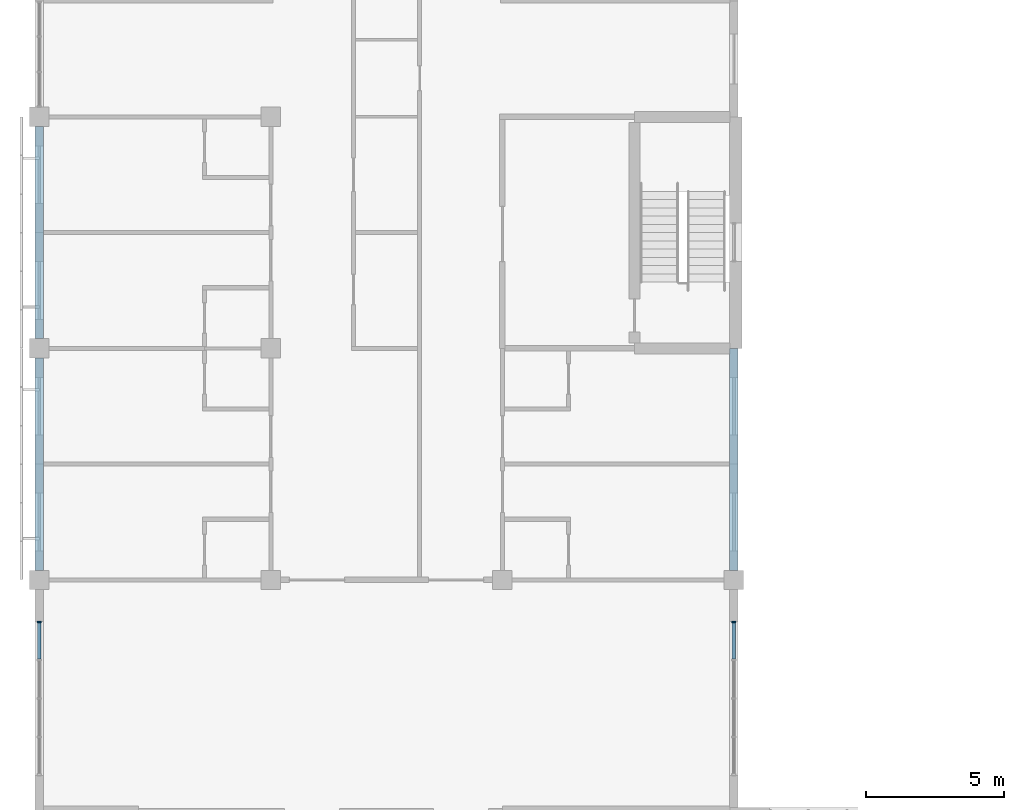
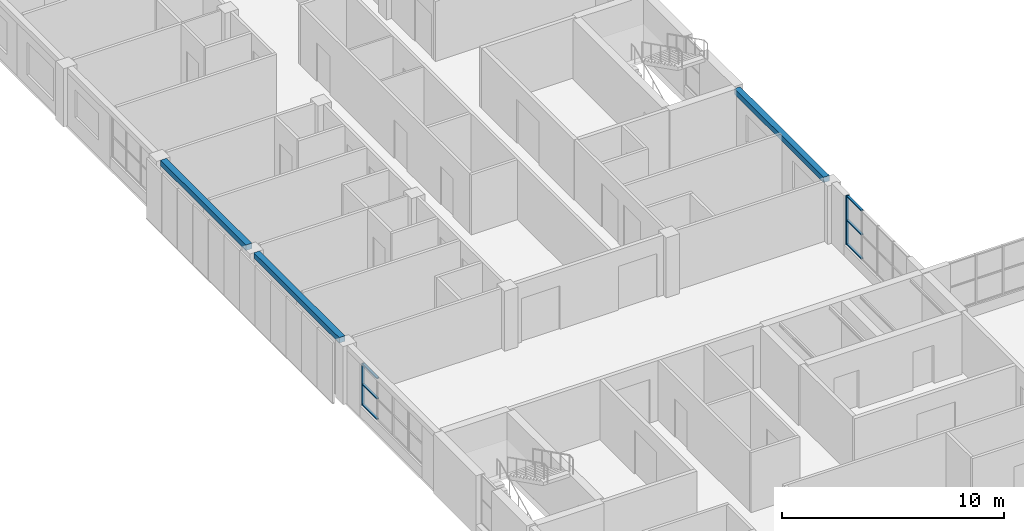
# One storey, part 6 of 48: 8 members, 3 beams, 2 elements without a shape of their own.
"""IFC4 building model written with IfcOpenShell, lengths in metres."""

from ifc_helpers import new_model, si_unit, direction, frame, origin, origin_2d, place, context, subcontext, project, spatial, rectangle, extrude, material, material_profile, profile_set, type_object, element, aggregate, save


model = new_model("IFC4")

# Units and contexts
model_context = context("Model", 3, precision=1e-05, world=origin(), true_north=direction((0.0, 1.0)))
body_context = subcontext(model_context, "Body", "Model", "MODEL_VIEW")
ifc_project = project(units=[si_unit("LENGTHUNIT", "METRE"), si_unit("AREAUNIT", "SQUARE_METRE"), si_unit("VOLUMEUNIT", "CUBIC_METRE"), si_unit("PLANEANGLEUNIT", "RADIAN"), si_unit("MASSUNIT", "GRAM", prefix="KILO")], contexts=[model_context])

# Site, building, storey
site_placement = place(None, origin())
site = spatial("IfcSite", under=ifc_project, at=site_placement, CompositionType="ELEMENT")
building_placement = place(site_placement, origin())
building = spatial("IfcBuilding", under=site, at=building_placement, Name="Yavir Park General Hospital", CompositionType="ELEMENT")
storey_placement = place(building_placement, frame((0.0, 0.0, 26.10009765625)))
storey = spatial("IfcBuildingStorey", under=building, at=storey_placement, Name="L06", CompositionType="ELEMENT", Elevation=26.10009765625)

# Curtain wall, members
ifc_material_1 = material(Name="Aluminium curtain wall frame with insulated glazing", Category="aluminium")
curtain_wall_type_1 = type_object("IfcCurtainWallType", Name="Day room pocket glazing, ward floors, 2300 high, 1400 module", PredefinedType="NOTDEFINED", material=ifc_material_1)
curtain_wall_1_placement = place(storey_placement, origin())
curtain_wall_1 = element("IfcCurtainWall", 1, at=curtain_wall_1_placement, inside=storey, type_object=curtain_wall_type_1, Name="CW63 L06-019", PredefinedType="NOTDEFINED")
ifc_material_2 = material(Name="Aluminium", Category="aluminium")
ifc_material_profile_1 = material_profile(ifc_material_2, rectangle(XDim=0.139892578125, YDim=0.06005859375, at=origin_2d()), Name="AL 60x140")
ifc_profile_set_1 = profile_set([ifc_material_profile_1], Name="Aluminium")
member_type_1 = type_object("IfcMemberType", Name="Day room pocket glazing, ward floors, 2300 high mullion 60 x 140", PredefinedType="MULLION", material=ifc_profile_set_1)
member_1_placement = place(storey_placement, frame((0.0, 32.070068359375, 0.599853515625), z_axis=(0.0, 0.0, 1.0), x_axis=(-1.0, 0.0, 0.0)))
member_1 = element("IfcMember", 2, at=member_1_placement, type_object=member_type_1, Name="CW63 mullion 5", PredefinedType="MULLION", context=body_context, shape_type="SweptSolid", body=[
    extrude(rectangle(XDim=0.139892578125, YDim=0.06005859375, at=origin_2d()), origin(), (0.0, 0.0, 1.0), 2.300048828125),
])
ifc_material_3 = material(Name="Aluminium", Category="aluminium")
ifc_material_profile_2 = material_profile(ifc_material_3, rectangle(XDim=0.1201171875, YDim=0.06005859375, at=origin_2d()), Name="AL 120x60")
ifc_profile_set_2 = profile_set([ifc_material_profile_2], Name="Aluminium")
member_type_2 = type_object("IfcMemberType", Name="Day room pocket glazing, ward floors, 2300 high transom 60 x 120", PredefinedType="MULLION", material=ifc_profile_set_2)
member_2_placement = place(storey_placement, frame((0.0, 30.72998046875, 0.6298828125), z_axis=(0.0, 1.0, 0.0), x_axis=(-1.0, 0.0, 0.0)))
member_2 = element("IfcMember", 3, at=member_2_placement, type_object=member_type_2, Name="CW63 transom 4.1", PredefinedType="MULLION", context=body_context, shape_type="SweptSolid", body=[
    extrude(rectangle(XDim=0.1201171875, YDim=0.06005859375, at=origin_2d()), origin(), (0.0, 0.0, 1.0), 1.31005859375),
])
member_3_placement = place(storey_placement, frame((0.0, 30.72998046875, 1.75), z_axis=(0.0, 1.0, 0.0), x_axis=(-1.0, 0.0, 0.0)))
member_3 = element("IfcMember", 4, at=member_3_placement, type_object=member_type_2, Name="CW63 transom 4.2", PredefinedType="MULLION", context=body_context, shape_type="SweptSolid", body=[
    extrude(rectangle(XDim=0.1201171875, YDim=0.06005859375, at=origin_2d()), origin(), (0.0, 0.0, 1.0), 1.31005859375),
])
member_4_placement = place(storey_placement, frame((0.0, 30.72998046875, 2.869873046875), z_axis=(0.0, 1.0, 0.0), x_axis=(-1.0, 0.0, 0.0)))
member_4 = element("IfcMember", 5, at=member_4_placement, type_object=member_type_2, Name="CW63 transom 4.3", PredefinedType="MULLION", context=body_context, shape_type="SweptSolid", body=[
    extrude(rectangle(XDim=0.1201171875, YDim=0.06005859375, at=origin_2d()), origin(), (0.0, 0.0, 1.0), 1.31005859375),
])
aggregate(curtain_wall_1, [member_1, member_2, member_3, member_4])

ifc_material_4 = material(Name="Aluminium curtain wall frame with insulated glazing", Category="aluminium")
curtain_wall_type_2 = type_object("IfcCurtainWallType", Name="Day room pocket glazing, ward floors, 2700 high, 1400 module", PredefinedType="NOTDEFINED", material=ifc_material_4)
curtain_wall_2_placement = place(storey_placement, origin())
curtain_wall_2 = element("IfcCurtainWall", 6, at=curtain_wall_2_placement, inside=storey, type_object=curtain_wall_type_2, Name="CW65 L06-021", PredefinedType="NOTDEFINED")
ifc_material_5 = material(Name="Aluminium", Category="aluminium")
ifc_material_profile_3 = material_profile(ifc_material_5, rectangle(XDim=0.139892578125, YDim=0.06005859375, at=origin_2d()), Name="AL 60x140")
ifc_profile_set_3 = profile_set([ifc_material_profile_3], Name="Aluminium")
member_type_3 = type_object("IfcMemberType", Name="Day room pocket glazing, ward floors, 2700 high mullion 60 x 140", PredefinedType="MULLION", material=ifc_profile_set_3)
member_5_placement = place(storey_placement, frame((25.199951171875, 32.070068359375, 0.599853515625), z_axis=(0.0, 0.0, 1.0), x_axis=(-1.0, 0.0, 0.0)))
member_5 = element("IfcMember", 7, at=member_5_placement, type_object=member_type_3, Name="CW65 mullion 5", PredefinedType="MULLION", context=body_context, shape_type="SweptSolid", body=[
    extrude(rectangle(XDim=0.139892578125, YDim=0.06005859375, at=origin_2d()), origin(), (0.0, 0.0, 1.0), 2.699951171875),
])
ifc_material_6 = material(Name="Aluminium", Category="aluminium")
ifc_material_profile_4 = material_profile(ifc_material_6, rectangle(XDim=0.1201171875, YDim=0.06005859375, at=origin_2d()), Name="AL 120x60")
ifc_profile_set_4 = profile_set([ifc_material_profile_4], Name="Aluminium")
member_type_4 = type_object("IfcMemberType", Name="Day room pocket glazing, ward floors, 2700 high transom 60 x 120", PredefinedType="MULLION", material=ifc_profile_set_4)
member_6_placement = place(storey_placement, frame((25.199951171875, 30.72998046875, 0.6298828125), z_axis=(0.0, 1.0, 0.0), x_axis=(-1.0, 0.0, 0.0)))
member_6 = element("IfcMember", 8, at=member_6_placement, type_object=member_type_4, Name="CW65 transom 4.1", PredefinedType="MULLION", context=body_context, shape_type="SweptSolid", body=[
    extrude(rectangle(XDim=0.1201171875, YDim=0.06005859375, at=origin_2d()), origin(), (0.0, 0.0, 1.0), 1.31005859375),
])
member_7_placement = place(storey_placement, frame((25.199951171875, 30.72998046875, 1.949951171875), z_axis=(0.0, 1.0, 0.0), x_axis=(-1.0, 0.0, 0.0)))
member_7 = element("IfcMember", 9, at=member_7_placement, type_object=member_type_4, Name="CW65 transom 4.2", PredefinedType="MULLION", context=body_context, shape_type="SweptSolid", body=[
    extrude(rectangle(XDim=0.1201171875, YDim=0.06005859375, at=origin_2d()), origin(), (0.0, 0.0, 1.0), 1.31005859375),
])
member_8_placement = place(storey_placement, frame((25.199951171875, 30.72998046875, 3.27001953125), z_axis=(0.0, 1.0, 0.0), x_axis=(-1.0, 0.0, 0.0)))
member_8 = element("IfcMember", 10, at=member_8_placement, type_object=member_type_4, Name="CW65 transom 4.3", PredefinedType="MULLION", context=body_context, shape_type="SweptSolid", body=[
    extrude(rectangle(XDim=0.1201171875, YDim=0.06005859375, at=origin_2d()), origin(), (0.0, 0.0, 1.0), 1.31005859375),
])
aggregate(curtain_wall_2, [member_5, member_6, member_7, member_8])

# Beams
ifc_material_7 = material(Name="Concrete C35/45", Category="concrete")
ifc_material_profile_5 = material_profile(ifc_material_7, rectangle(XDim=0.300048828125, YDim=0.300048828125, at=origin_2d()), Name="RC300x300")
ifc_profile_set_5 = profile_set([ifc_material_profile_5], Name="Concrete C35/45")
beam_type = type_object("IfcBeamType", Name="RC BEAM 300x300 edge beam", PredefinedType="BEAM", material=ifc_profile_set_5)
for number, where, z_axis, x_axis, name in (
    (11, (0.0, 33.949951171875, 3.0498046875), (0.0, 1.0, 0.0), (-1.0, 0.0, 0.0), "B:EDGE:L06:019"),
    (12, (0.0, 42.35009765625, 3.0498046875), (0.0, 1.0, 0.0), (-1.0, 0.0, 0.0), "B:EDGE:L06:020"),
):
    element("IfcBeam", number, at=place(storey_placement, frame(where, z_axis=z_axis, x_axis=x_axis)), inside=storey, type_object=beam_type, Name=name, PredefinedType="BEAM", context=body_context, shape_type="SweptSolid", body=[
        extrude(rectangle(XDim=0.300048828125, YDim=0.300048828125, at=origin_2d()), origin(), (0.0, 0.0, 1.0), 7.699951171875),
    ])
beam_placement = place(storey_placement, frame((25.199951171875, 33.949951171875, 3.0498046875), z_axis=(0.0, 1.0, 0.0), x_axis=(-1.0, 0.0, 0.0)))
element("IfcBeam", 13, at=beam_placement, inside=storey, type_object=beam_type, Name="B:EDGE:L06:028", PredefinedType="BEAM", context=body_context, shape_type="SweptSolid", body=[
    extrude(rectangle(XDim=0.300048828125, YDim=0.300048828125, at=origin_2d()), origin(), (0.0, 0.0, 1.0), 8.050048828125),
])

save(model, "model.ifc")
